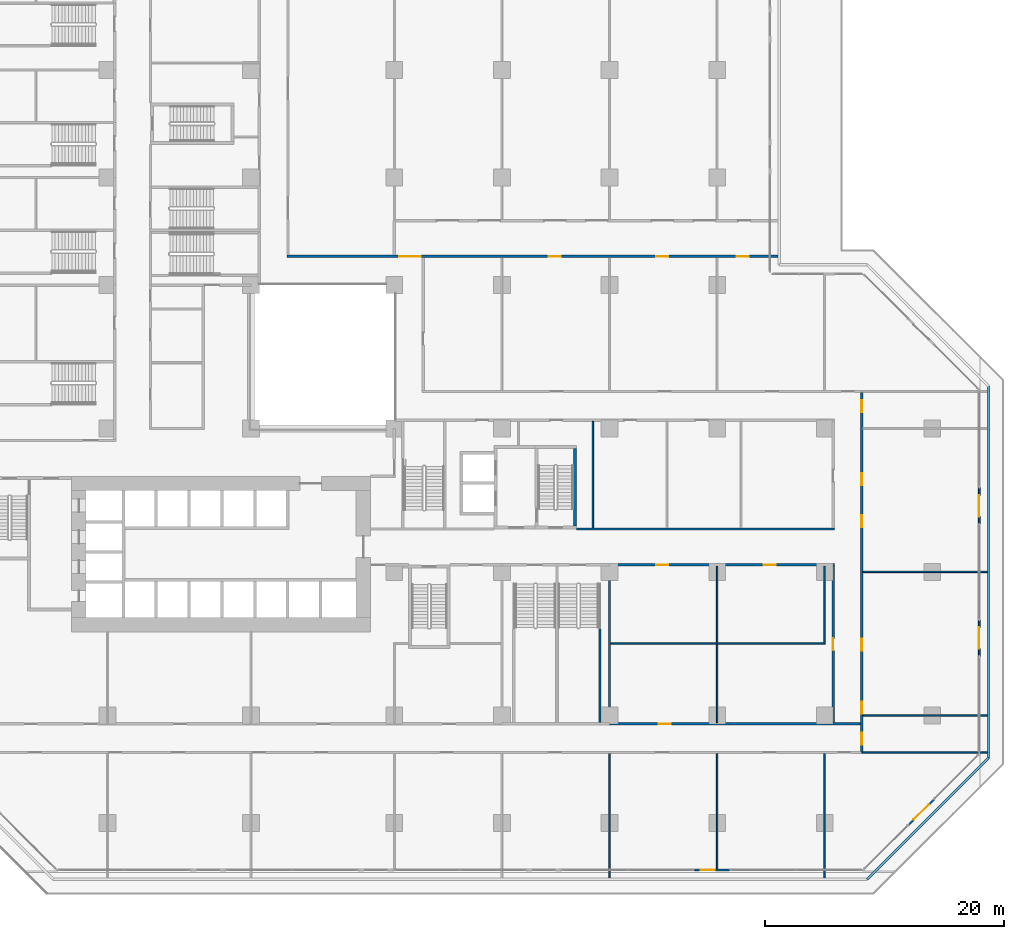
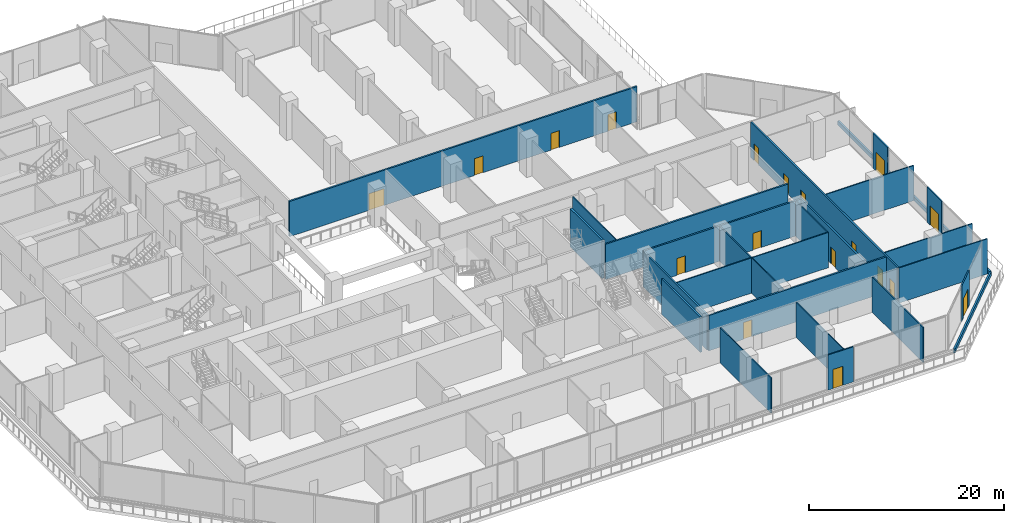
# One storey, part 19 of 31: 26 walls, 18 doors, 18 openings.
"""IFC4 building model written with IfcOpenShell, lengths in metres."""

from ifc_helpers import new_model, si_unit, direction, frame, frame_2d, origin, place, context, subcontext, project, spatial, rectangle, extrude, material, layer, layer_set, type_object, element, fill, save


model = new_model("IFC4")

# Units and contexts
model_context = context("Model", 3, precision=1e-05, world=origin(), true_north=direction((0.0, 1.0)))
body_context = subcontext(model_context, "Body", "Model", "MODEL_VIEW")
ifc_project = project(units=[si_unit("LENGTHUNIT", "METRE"), si_unit("AREAUNIT", "SQUARE_METRE"), si_unit("VOLUMEUNIT", "CUBIC_METRE"), si_unit("PLANEANGLEUNIT", "RADIAN"), si_unit("MASSUNIT", "GRAM", prefix="KILO")], contexts=[model_context])

# Site, building, storey
site_placement = place(None, origin())
site = spatial("IfcSite", under=ifc_project, at=site_placement, CompositionType="ELEMENT")
building_placement = place(site_placement, origin())
building = spatial("IfcBuilding", under=site, at=building_placement, Name="Chenar Terraces", CompositionType="ELEMENT")
storey_placement = place(building_placement, frame((0.0, 0.0, 7.199951171875)))
storey = spatial("IfcBuildingStorey", under=building, at=storey_placement, Name="L01", CompositionType="ELEMENT", Elevation=7.199951171875)

# Walls
ifc_material_1 = material(Name="Gypsum board on steel studs with mineral wool", Category="steel")
ifc_layer_1 = layer(ifc_material_1, 0.125)
ifc_layer_set_1 = layer_set([ifc_layer_1], Name="Gypsum board on steel studs with mineral wool")
wall_type_1 = type_object("IfcWallType", Name="Acoustic partition 125", PredefinedType="PARTITIONING", material=ifc_layer_set_1)
wall_1_placement = place(storey_placement, frame((52.60009765625, 15.699951171875, 0.0), z_axis=(0.0, 0.0, 1.0), x_axis=(0.0, 1.0, 0.0)))
element("IfcWall", 1, at=wall_1_placement, inside=storey, type_object=wall_type_1, Name="Partition L01-103", PredefinedType="PARTITIONING", context=body_context, shape_type="SweptSolid", body=[
    extrude(rectangle(XDim=8.900146484375, YDim=0.125, at=frame_2d((4.4501953125, 0.0))), origin(), (0.0, 0.0, 1.0), 4.400146484375),
])
wall_2_placement = place(storey_placement, frame((54.0, -13.60009765625, 0.0), z_axis=(0.0, 0.0, 1.0), x_axis=(0.0, 1.0, 0.0)))
element("IfcWall", 2, at=wall_2_placement, inside=storey, type_object=wall_type_1, Name="Partition L01-104", PredefinedType="PARTITIONING", context=body_context, shape_type="SweptSolid", body=[
    extrude(rectangle(XDim=10.400146484375, YDim=0.125, at=frame_2d((5.2001953125, 0.0))), origin(), (0.0, 0.0, 1.0), 4.400146484375),
])
wall_3_placement = place(storey_placement, frame((54.10009765625, 6.0, 0.0), z_axis=(0.0, 0.0, 1.0), x_axis=(1.0, 0.0, 0.0)))
element("IfcWall", 3, at=wall_3_placement, inside=storey, type_object=wall_type_1, Name="Partition L01-110", PredefinedType="PARTITIONING", context=body_context, shape_type="SweptSolid", body=[
    extrude(rectangle(XDim=17.9619140625, YDim=0.125, at=frame_2d((8.98095703125, 0.0))), origin(), (0.0, 0.0, 1.0), 4.400146484375),
])
wall_4_placement = place(storey_placement, frame((63.0, -12.85107421875, 0.0), z_axis=(0.0, 0.0, 1.0), x_axis=(0.0, 1.0, 0.0)))
element("IfcWall", 4, at=wall_4_placement, inside=storey, type_object=wall_type_1, Name="Partition L01-112", PredefinedType="PARTITIONING", context=body_context, shape_type="SweptSolid", body=[
    extrude(rectangle(XDim=9.651123046875, YDim=0.125, at=frame_2d((4.82568359375, 0.0))), origin(), (0.0, 0.0, 1.0), 4.400146484375),
])
wall_5_placement = place(storey_placement, frame((63.0, -0.60009765625, 0.0), z_axis=(0.0, 0.0, 1.0), x_axis=(0.0, 1.0, 0.0)))
element("IfcWall", 5, at=wall_5_placement, inside=storey, type_object=wall_type_1, Name="Partition L01-113", PredefinedType="PARTITIONING", context=body_context, shape_type="SweptSolid", body=[
    extrude(rectangle(XDim=6.5380859375, YDim=0.125, at=frame_2d((3.26904296875, 0.0))), origin(), (0.0, 0.0, 1.0), 4.400146484375),
])
wall_6_placement = place(storey_placement, frame((63.0, 6.06201171875, 0.0), z_axis=(0.0, 0.0, 1.0), x_axis=(0.0, 1.0, 0.0)))
element("IfcWall", 6, at=wall_6_placement, inside=storey, type_object=wall_type_1, Name="Partition L01-114", PredefinedType="PARTITIONING", context=body_context, shape_type="SweptSolid", body=[
    extrude(rectangle(XDim=6.43798828125, YDim=0.125, at=frame_2d((3.218994140625, 0.0))), origin(), (0.0, 0.0, 1.0), 4.400146484375),
])
wall_7_placement = place(storey_placement, frame((72.0, -13.60009765625, 0.0), z_axis=(0.0, 0.0, 1.0), x_axis=(0.0, 1.0, 0.0)))
element("IfcWall", 7, at=wall_7_placement, inside=storey, type_object=wall_type_1, Name="Partition L01-118", PredefinedType="PARTITIONING", context=body_context, shape_type="SweptSolid", body=[
    extrude(rectangle(XDim=10.400146484375, YDim=0.125, at=frame_2d((5.2001953125, 0.0))), origin(), (0.0, 0.0, 1.0), 4.400146484375),
])
wall_8_placement = place(storey_placement, frame((72.0, 6.06201171875, 0.0), z_axis=(0.0, 0.0, 1.0), x_axis=(0.0, 1.0, 0.0)))
element("IfcWall", 8, at=wall_8_placement, inside=storey, type_object=wall_type_1, Name="Partition L01-119", PredefinedType="PARTITIONING", context=body_context, shape_type="SweptSolid", body=[
    extrude(rectangle(XDim=6.43798828125, YDim=0.125, at=frame_2d((3.218994140625, 0.0))), origin(), (0.0, 0.0, 1.0), 4.400146484375),
])
wall_9_placement = place(storey_placement, frame((75.10009765625, -3.10009765625, 0.0), z_axis=(0.0, 0.0, 1.0), x_axis=(1.0, 0.0, 0.0)))
element("IfcWall", 9, at=wall_9_placement, inside=storey, type_object=wall_type_1, Name="Partition L01-123", PredefinedType="PARTITIONING", context=body_context, shape_type="SweptSolid", body=[
    extrude(rectangle(XDim=10.5, YDim=0.125, at=frame_2d((5.25, 0.0))), origin(), (0.0, 0.0, 1.0), 4.400146484375),
])
for number, where, z_axis, x_axis, name in (
    (10, (75.199951171875, 0.0, 0.0), (0.0, 0.0, 1.0), (1.0, 0.0, 0.0), "Partition L01-126"),
    (11, (75.199951171875, 12.0, 0.0), (0.0, 0.0, 1.0), (1.0, 0.0, 0.0), "Partition L01-127"),
):
    element("IfcWall", number, at=place(storey_placement, frame(where, z_axis=z_axis, x_axis=x_axis)), inside=storey, type_object=wall_type_1, Name=name, PredefinedType="PARTITIONING", context=body_context, shape_type="SweptSolid", body=[
        extrude(rectangle(XDim=10.400146484375, YDim=0.125, at=frame_2d((5.2001953125, 0.0))), origin(), (0.0, 0.0, 1.0), 4.400146484375),
    ])
ifc_material_2 = material(Name="Concrete C70/85", Category="concrete")
ifc_layer_2 = layer(ifc_material_2, 0.25)
ifc_layer_set_2 = layer_set([ifc_layer_2], Name="Concrete C70/85")
wall_type_2 = type_object("IfcWallType", Name="Core wall 250 Concrete C70/85", PredefinedType="SHEAR", material=ifc_layer_set_2)
wall_10_placement = place(storey_placement, frame((51.10009765625, 15.85009765625, 0.0), z_axis=(0.0, 0.0, 1.0), x_axis=(0.0, 1.0, 0.0)))
element("IfcWall", 12, at=wall_10_placement, inside=storey, type_object=wall_type_2, Name="Core wall ST3_E L01", PredefinedType="SHEAR", context=body_context, shape_type="SweptSolid", body=[
    extrude(rectangle(XDim=6.5, YDim=0.25, at=frame_2d((3.25, 0.0))), origin(), (0.0, 0.0, 1.0), 4.800048828125),
])

# Wall, openings, doors
ifc_material_3 = material(Name="Gypsum board on steel studs with fire boards", Category="steel")
ifc_layer_3 = layer(ifc_material_3, 0.199951171875)
ifc_layer_set_3 = layer_set([ifc_layer_3], Name="Gypsum board on steel studs with fire boards")
wall_type_3 = type_object("IfcWallType", Name="Corridor wall 200", PredefinedType="PARTITIONING", material=ifc_layer_set_3)
wall_11_placement = place(storey_placement, frame((27.0, 38.39990234375, 0.0), z_axis=(0.0, 0.0, 1.0), x_axis=(1.0, 0.0, 0.0)))
wall_11 = element("IfcWall", 13, at=wall_11_placement, inside=storey, type_object=wall_type_3, Name="Partition L01-073", PredefinedType="PARTITIONING", context=body_context, shape_type="SweptSolid", body=[
    extrude(rectangle(XDim=41.10009765625, YDim=0.199951171875, at=frame_2d((20.550048828125, 0.0))), origin(), (0.0, 0.0, 1.0), 4.400146484375),
])
opening_1_placement = place(wall_11_placement, frame((21.89990234375, 0.0, 0.0)))
opening_1 = element("IfcOpeningElement", 14, at=opening_1_placement, cuts=wall_11, Name="Opening DL01-31", PredefinedType="OPENING", context=body_context, shape_type="SweptSolid", body=[
    extrude(rectangle(XDim=1.0, YDim=2.10009765625, at=frame_2d((0.5, 1.050048828125))), frame((0.0, 0.10986328125, 0.0), z_axis=(0.0, -1.0, 0.0), x_axis=(1.0, 0.0, 0.0)), (0.0, 0.0, 1.0), 0.219970703125),
])
opening_2_placement = place(wall_11_placement, frame((30.89990234375, 0.0, 0.0)))
opening_2 = element("IfcOpeningElement", 15, at=opening_2_placement, cuts=wall_11, Name="Opening DL01-33", PredefinedType="OPENING", context=body_context, shape_type="SweptSolid", body=[
    extrude(rectangle(XDim=1.0, YDim=2.10009765625, at=frame_2d((0.5, 1.050048828125))), frame((0.0, 0.10986328125, 0.0), z_axis=(0.0, -1.0, 0.0), x_axis=(1.0, 0.0, 0.0)), (0.0, 0.0, 1.0), 0.219970703125),
])
opening_3_placement = place(wall_11_placement, frame((37.64990234375, 0.0, 0.0)))
opening_3 = element("IfcOpeningElement", 16, at=opening_3_placement, cuts=wall_11, Name="Opening DL01-35", PredefinedType="OPENING", context=body_context, shape_type="SweptSolid", body=[
    extrude(rectangle(XDim=1.0, YDim=2.10009765625, at=frame_2d((0.5, 1.050048828125))), frame((0.0, 0.10986328125, 0.0), z_axis=(0.0, -1.0, 0.0), x_axis=(1.0, 0.0, 0.0)), (0.0, 0.0, 1.0), 0.219970703125),
])
opening_4_placement = place(wall_11_placement, frame((9.39990234375, 0.0, 0.0)))
opening_4 = element("IfcOpeningElement", 17, at=opening_4_placement, cuts=wall_11, Name="Opening DL01-42", PredefinedType="OPENING", context=body_context, shape_type="SweptSolid", body=[
    extrude(rectangle(XDim=1.800048828125, YDim=2.10009765625, at=frame_2d((0.89990234375, 1.050048828125))), frame((0.0, 0.10986328125, 0.0), z_axis=(0.0, -1.0, 0.0), x_axis=(1.0, 0.0, 0.0)), (0.0, 0.0, 1.0), 0.219970703125),
])
ifc_material_4 = material(Name="Steel-framed fire-resisting door leaf", Category="steel")
door_type_1 = type_object("IfcDoorType", Name="Fire door FD60 1000 x 2100", OperationType="SINGLE_SWING_LEFT", PredefinedType="DOOR", material=ifc_material_4)
door_1_placement = place(opening_1_placement, frame((1.0, 0.0, 0.0), z_axis=(0.0, 0.0, 1.0), x_axis=(-1.0, 0.0, 0.0)))
door_1 = element("IfcDoor", 18, at=door_1_placement, inside=storey, type_object=door_type_1, Name="Door DL01-31", OperationType="SINGLE_SWING_RIGHT", OverallHeight=2.10009765625, OverallWidth=1.0, PredefinedType="DOOR", context=body_context, shape_type="SweptSolid", body=[
    extrude(rectangle(XDim=1.0, YDim=2.10009765625, at=frame_2d((0.5, 1.050048828125))), frame((0.0, 0.02490234375, 0.0), z_axis=(0.0, -1.0, 0.0), x_axis=(1.0, 0.0, 0.0)), (0.0, 0.0, 1.0), 0.050048828125),
])
fill(opening_1, door_1)
door_2_placement = place(opening_2_placement, frame((1.0, 0.0, 0.0), z_axis=(0.0, 0.0, 1.0), x_axis=(-1.0, 0.0, 0.0)))
door_2 = element("IfcDoor", 19, at=door_2_placement, inside=storey, type_object=door_type_1, Name="Door DL01-33", OperationType="SINGLE_SWING_RIGHT", OverallHeight=2.10009765625, OverallWidth=1.0, PredefinedType="DOOR", context=body_context, shape_type="SweptSolid", body=[
    extrude(rectangle(XDim=1.0, YDim=2.10009765625, at=frame_2d((0.5, 1.050048828125))), frame((0.0, 0.02490234375, 0.0), z_axis=(0.0, -1.0, 0.0), x_axis=(1.0, 0.0, 0.0)), (0.0, 0.0, 1.0), 0.050048828125),
])
fill(opening_2, door_2)
door_3_placement = place(opening_3_placement, frame((1.0, 0.0, 0.0), z_axis=(0.0, 0.0, 1.0), x_axis=(-1.0, 0.0, 0.0)))
door_3 = element("IfcDoor", 20, at=door_3_placement, inside=storey, type_object=door_type_1, Name="Door DL01-35", OperationType="SINGLE_SWING_LEFT", OverallHeight=2.10009765625, OverallWidth=1.0, PredefinedType="DOOR", context=body_context, shape_type="SweptSolid", body=[
    extrude(rectangle(XDim=1.0, YDim=2.10009765625, at=frame_2d((0.5, 1.050048828125))), frame((0.0, 0.02490234375, 0.0), z_axis=(0.0, -1.0, 0.0), x_axis=(1.0, 0.0, 0.0)), (0.0, 0.0, 1.0), 0.050048828125),
])
fill(opening_3, door_3)
ifc_material_5 = material(Name="Steel-framed fire-resisting door leaf", Category="steel")
door_type_2 = type_object("IfcDoorType", Name="Fire double door FD60 1800 x 2100", OperationType="DOUBLE_DOOR_SINGLE_SWING", PredefinedType="DOOR", material=ifc_material_5)
door_4_placement = place(opening_4_placement, origin())
door_4 = element("IfcDoor", 21, at=door_4_placement, inside=storey, type_object=door_type_2, Name="Door DL01-42", OperationType="DOUBLE_DOOR_SINGLE_SWING", OverallHeight=2.10009765625, OverallWidth=1.800048828125, PredefinedType="DOOR", context=body_context, shape_type="SweptSolid", body=[
    extrude(rectangle(XDim=1.800048828125, YDim=2.10009765625, at=frame_2d((0.89990234375, 1.050048828125))), frame((0.0, 0.02490234375, 0.0), z_axis=(0.0, -1.0, 0.0), x_axis=(1.0, 0.0, 0.0)), (0.0, 0.0, 1.0), 0.050048828125),
])
fill(opening_4, door_4)

# Wall
wall_12_placement = place(storey_placement, frame((51.22509765625, 15.60009765625, 0.0), z_axis=(0.0, 0.0, 1.0), x_axis=(1.0, 0.0, 0.0)))
element("IfcWall", 22, at=wall_12_placement, inside=storey, type_object=wall_type_3, Name="Partition L01-102", PredefinedType="PARTITIONING", context=body_context, shape_type="SweptSolid", body=[
    extrude(rectangle(XDim=21.574951171875, YDim=0.199951171875, at=frame_2d((10.78759765625, 0.0))), origin(), (0.0, 0.0, 1.0), 4.400146484375),
])

# Wall, opening, door
wall_13_placement = place(storey_placement, frame((54.0, -0.699951171875, 0.0), z_axis=(0.0, 0.0, 1.0), x_axis=(1.0, 0.0, 0.0)))
wall_13 = element("IfcWall", 23, at=wall_13_placement, inside=storey, type_object=wall_type_3, Name="Partition L01-105", PredefinedType="PARTITIONING", context=body_context, shape_type="SweptSolid", body=[
    extrude(rectangle(XDim=21.0, YDim=0.199951171875, at=frame_2d((10.5, 0.0))), origin(), (0.0, 0.0, 1.0), 4.400146484375),
])
opening_5_placement = place(wall_13_placement, frame((4.10009765625, 0.0, 0.0)))
opening_5 = element("IfcOpeningElement", 24, at=opening_5_placement, cuts=wall_13, Name="Opening DL01-10", PredefinedType="OPENING", context=body_context, shape_type="SweptSolid", body=[
    extrude(rectangle(XDim=1.0, YDim=2.10009765625, at=frame_2d((0.5, 1.050048828125))), frame((0.0, 0.10986328125, 0.0), z_axis=(0.0, -1.0, 0.0), x_axis=(1.0, 0.0, 0.0)), (0.0, 0.0, 1.0), 0.219970703125),
])
door_5_placement = place(opening_5_placement, origin())
door_5 = element("IfcDoor", 25, at=door_5_placement, inside=storey, type_object=door_type_1, Name="Door DL01-10", OperationType="SINGLE_SWING_LEFT", OverallHeight=2.10009765625, OverallWidth=1.0, PredefinedType="DOOR", context=body_context, shape_type="SweptSolid", body=[
    extrude(rectangle(XDim=1.0, YDim=2.10009765625, at=frame_2d((0.5, 1.050048828125))), frame((0.0, 0.02490234375, 0.0), z_axis=(0.0, -1.0, 0.0), x_axis=(1.0, 0.0, 0.0)), (0.0, 0.0, 1.0), 0.050048828125),
])
fill(opening_5, door_5)

# Wall, openings, doors
wall_14_placement = place(storey_placement, frame((54.0, 12.60009765625, 0.0), z_axis=(0.0, 0.0, 1.0), x_axis=(1.0, 0.0, 0.0)))
wall_14 = element("IfcWall", 26, at=wall_14_placement, inside=storey, type_object=wall_type_3, Name="Partition L01-107", PredefinedType="PARTITIONING", context=body_context, shape_type="SweptSolid", body=[
    extrude(rectangle(XDim=18.800048828125, YDim=0.199951171875, at=frame_2d((9.39990234375, 0.0))), origin(), (0.0, 0.0, 1.0), 4.400146484375),
])
opening_6_placement = place(wall_14_placement, frame((3.89990234375, 0.0, 0.0)))
opening_6 = element("IfcOpeningElement", 27, at=opening_6_placement, cuts=wall_14, Name="Opening DL01-2", PredefinedType="OPENING", context=body_context, shape_type="SweptSolid", body=[
    extrude(rectangle(XDim=1.0, YDim=2.10009765625, at=frame_2d((0.5, 1.050048828125))), frame((0.0, 0.10986328125, 0.0), z_axis=(0.0, -1.0, 0.0), x_axis=(1.0, 0.0, 0.0)), (0.0, 0.0, 1.0), 0.219970703125),
])
opening_7_placement = place(wall_14_placement, frame((12.89990234375, 0.0, 0.0)))
opening_7 = element("IfcOpeningElement", 28, at=opening_7_placement, cuts=wall_14, Name="Opening DL01-3", PredefinedType="OPENING", context=body_context, shape_type="SweptSolid", body=[
    extrude(rectangle(XDim=1.0, YDim=2.10009765625, at=frame_2d((0.5, 1.050048828125))), frame((0.0, 0.10986328125, 0.0), z_axis=(0.0, -1.0, 0.0), x_axis=(1.0, 0.0, 0.0)), (0.0, 0.0, 1.0), 0.219970703125),
])
door_6_placement = place(opening_6_placement, frame((1.0, 0.0, 0.0), z_axis=(0.0, 0.0, 1.0), x_axis=(-1.0, 0.0, 0.0)))
door_6 = element("IfcDoor", 29, at=door_6_placement, inside=storey, type_object=door_type_1, Name="Door DL01-2", OperationType="SINGLE_SWING_RIGHT", OverallHeight=2.10009765625, OverallWidth=1.0, PredefinedType="DOOR", context=body_context, shape_type="SweptSolid", body=[
    extrude(rectangle(XDim=1.0, YDim=2.10009765625, at=frame_2d((0.5, 1.050048828125))), frame((0.0, 0.02490234375, 0.0), z_axis=(0.0, -1.0, 0.0), x_axis=(1.0, 0.0, 0.0)), (0.0, 0.0, 1.0), 0.050048828125),
])
fill(opening_6, door_6)
door_7_placement = place(opening_7_placement, frame((1.0, 0.0, 0.0), z_axis=(0.0, 0.0, 1.0), x_axis=(-1.0, 0.0, 0.0)))
door_7 = element("IfcDoor", 30, at=door_7_placement, inside=storey, type_object=door_type_1, Name="Door DL01-3", OperationType="SINGLE_SWING_RIGHT", OverallHeight=2.10009765625, OverallWidth=1.0, PredefinedType="DOOR", context=body_context, shape_type="SweptSolid", body=[
    extrude(rectangle(XDim=1.0, YDim=2.10009765625, at=frame_2d((0.5, 1.050048828125))), frame((0.0, 0.02490234375, 0.0), z_axis=(0.0, -1.0, 0.0), x_axis=(1.0, 0.0, 0.0)), (0.0, 0.0, 1.0), 0.050048828125),
])
fill(opening_7, door_7)

# Wall, opening, door
wall_15_placement = place(storey_placement, frame((72.699951171875, -0.60009765625, 0.0), z_axis=(0.0, 0.0, 1.0), x_axis=(0.0, 1.0, 0.0)))
wall_15 = element("IfcWall", 31, at=wall_15_placement, inside=storey, type_object=wall_type_3, Name="Partition L01-121", PredefinedType="PARTITIONING", context=body_context, shape_type="SweptSolid", body=[
    extrude(rectangle(XDim=13.10009765625, YDim=0.199951171875, at=frame_2d((6.550048828125, 0.0))), origin(), (0.0, 0.0, 1.0), 4.400146484375),
])
opening_8_placement = place(wall_15_placement, frame((6.050048828125, 0.0, 0.0)))
opening_8 = element("IfcOpeningElement", 32, at=opening_8_placement, cuts=wall_15, Name="Opening DL01-11", PredefinedType="OPENING", context=body_context, shape_type="SweptSolid", body=[
    extrude(rectangle(XDim=1.0, YDim=2.10009765625, at=frame_2d((0.5, 1.050048828125))), frame((0.0, 0.10986328125, 0.0), z_axis=(0.0, -1.0, 0.0), x_axis=(1.0, 0.0, 0.0)), (0.0, 0.0, 1.0), 0.219970703125),
])
door_8_placement = place(opening_8_placement, frame((1.0, 0.0, 0.0), z_axis=(0.0, 0.0, 1.0), x_axis=(-1.0, 0.0, 0.0)))
door_8 = element("IfcDoor", 33, at=door_8_placement, inside=storey, type_object=door_type_1, Name="Door DL01-11", OperationType="SINGLE_SWING_LEFT", OverallHeight=2.10009765625, OverallWidth=1.0, PredefinedType="DOOR", context=body_context, shape_type="SweptSolid", body=[
    extrude(rectangle(XDim=1.0, YDim=2.10009765625, at=frame_2d((0.5, 1.050048828125))), frame((0.0, 0.02490234375, 0.0), z_axis=(0.0, -1.0, 0.0), x_axis=(1.0, 0.0, 0.0)), (0.0, 0.0, 1.0), 0.050048828125),
])
fill(opening_8, door_8)

# Wall, openings, doors
wall_16_placement = place(storey_placement, frame((75.10009765625, -3.0, 0.0), z_axis=(0.0, 0.0, 1.0), x_axis=(0.0, 1.0, 0.0)))
wall_16 = element("IfcWall", 34, at=wall_16_placement, inside=storey, type_object=wall_type_3, Name="Partition L01-124", PredefinedType="PARTITIONING", context=body_context, shape_type="SweptSolid", body=[
    extrude(rectangle(XDim=30.0, YDim=0.199951171875, at=frame_2d((15.0, 0.0))), origin(), (0.0, 0.0, 1.0), 4.400146484375),
])
opening_9_placement = place(wall_16_placement, frame((0.550048828125, 0.0, 0.0)))
opening_9 = element("IfcOpeningElement", 35, at=opening_9_placement, cuts=wall_16, Name="Opening DL01-49", PredefinedType="OPENING", context=body_context, shape_type="SweptSolid", body=[
    extrude(rectangle(XDim=1.0, YDim=2.10009765625, at=frame_2d((0.5, 1.050048828125))), frame((0.0, 0.10986328125, 0.0), z_axis=(0.0, -1.0, 0.0), x_axis=(1.0, 0.0, 0.0)), (0.0, 0.0, 1.0), 0.219970703125),
])
opening_10_placement = place(wall_16_placement, frame((8.39990234375, 0.0, 0.0)))
opening_10 = element("IfcOpeningElement", 36, at=opening_10_placement, cuts=wall_16, Name="Opening DL01-50", PredefinedType="OPENING", context=body_context, shape_type="SweptSolid", body=[
    extrude(rectangle(XDim=1.0, YDim=2.10009765625, at=frame_2d((0.5, 1.050048828125))), frame((0.0, 0.10986328125, 0.0), z_axis=(0.0, -1.0, 0.0), x_axis=(1.0, 0.0, 0.0)), (0.0, 0.0, 1.0), 0.219970703125),
])
opening_11_placement = place(wall_16_placement, frame((3.14990234375, 0.0, 0.0)))
opening_11 = element("IfcOpeningElement", 37, at=opening_11_placement, cuts=wall_16, Name="Opening DL01-51", PredefinedType="OPENING", context=body_context, shape_type="SweptSolid", body=[
    extrude(rectangle(XDim=1.0, YDim=2.10009765625, at=frame_2d((0.5, 1.050048828125))), frame((0.0, 0.10986328125, 0.0), z_axis=(0.0, -1.0, 0.0), x_axis=(1.0, 0.0, 0.0)), (0.0, 0.0, 1.0), 0.219970703125),
])
opening_12_placement = place(wall_16_placement, frame((22.25, 0.0, 0.0)))
opening_12 = element("IfcOpeningElement", 38, at=opening_12_placement, cuts=wall_16, Name="Opening DL01-52", PredefinedType="OPENING", context=body_context, shape_type="SweptSolid", body=[
    extrude(rectangle(XDim=1.0, YDim=2.10009765625, at=frame_2d((0.5, 1.050048828125))), frame((0.0, 0.10986328125, 0.0), z_axis=(0.0, -1.0, 0.0), x_axis=(1.0, 0.0, 0.0)), (0.0, 0.0, 1.0), 0.219970703125),
])
opening_13_placement = place(wall_16_placement, frame((18.75, 0.0, 0.0)))
opening_13 = element("IfcOpeningElement", 39, at=opening_13_placement, cuts=wall_16, Name="Opening DL01-53", PredefinedType="OPENING", context=body_context, shape_type="SweptSolid", body=[
    extrude(rectangle(XDim=1.0, YDim=2.10009765625, at=frame_2d((0.5, 1.050048828125))), frame((0.0, 0.10986328125, 0.0), z_axis=(0.0, -1.0, 0.0), x_axis=(1.0, 0.0, 0.0)), (0.0, 0.0, 1.0), 0.219970703125),
])
opening_14_placement = place(wall_16_placement, frame((28.35009765625, 0.0, 0.0)))
opening_14 = element("IfcOpeningElement", 40, at=opening_14_placement, cuts=wall_16, Name="Opening DL01-54", PredefinedType="OPENING", context=body_context, shape_type="SweptSolid", body=[
    extrude(rectangle(XDim=1.0, YDim=2.10009765625, at=frame_2d((0.5, 1.050048828125))), frame((0.0, 0.10986328125, 0.0), z_axis=(0.0, -1.0, 0.0), x_axis=(1.0, 0.0, 0.0)), (0.0, 0.0, 1.0), 0.219970703125),
])
door_9_placement = place(opening_9_placement, frame((1.0, 0.0, 0.0), z_axis=(0.0, 0.0, 1.0), x_axis=(-1.0, 0.0, 0.0)))
door_9 = element("IfcDoor", 41, at=door_9_placement, inside=storey, type_object=door_type_1, Name="Door DL01-49", OperationType="SINGLE_SWING_RIGHT", OverallHeight=2.10009765625, OverallWidth=1.0, PredefinedType="DOOR", context=body_context, shape_type="SweptSolid", body=[
    extrude(rectangle(XDim=1.0, YDim=2.10009765625, at=frame_2d((0.5, 1.050048828125))), frame((0.0, 0.02490234375, 0.0), z_axis=(0.0, -1.0, 0.0), x_axis=(1.0, 0.0, 0.0)), (0.0, 0.0, 1.0), 0.050048828125),
])
fill(opening_9, door_9)
door_10_placement = place(opening_10_placement, frame((1.0, 0.0, 0.0), z_axis=(0.0, 0.0, 1.0), x_axis=(-1.0, 0.0, 0.0)))
door_10 = element("IfcDoor", 42, at=door_10_placement, inside=storey, type_object=door_type_1, Name="Door DL01-50", OperationType="SINGLE_SWING_LEFT", OverallHeight=2.10009765625, OverallWidth=1.0, PredefinedType="DOOR", context=body_context, shape_type="SweptSolid", body=[
    extrude(rectangle(XDim=1.0, YDim=2.10009765625, at=frame_2d((0.5, 1.050048828125))), frame((0.0, 0.02490234375, 0.0), z_axis=(0.0, -1.0, 0.0), x_axis=(1.0, 0.0, 0.0)), (0.0, 0.0, 1.0), 0.050048828125),
])
fill(opening_10, door_10)
door_11_placement = place(opening_11_placement, frame((1.0, 0.0, 0.0), z_axis=(0.0, 0.0, 1.0), x_axis=(-1.0, 0.0, 0.0)))
door_11 = element("IfcDoor", 43, at=door_11_placement, inside=storey, type_object=door_type_1, Name="Door DL01-51", OperationType="SINGLE_SWING_RIGHT", OverallHeight=2.10009765625, OverallWidth=1.0, PredefinedType="DOOR", context=body_context, shape_type="SweptSolid", body=[
    extrude(rectangle(XDim=1.0, YDim=2.10009765625, at=frame_2d((0.5, 1.050048828125))), frame((0.0, 0.02490234375, 0.0), z_axis=(0.0, -1.0, 0.0), x_axis=(1.0, 0.0, 0.0)), (0.0, 0.0, 1.0), 0.050048828125),
])
fill(opening_11, door_11)
door_12_placement = place(opening_12_placement, frame((1.0, 0.0, 0.0), z_axis=(0.0, 0.0, 1.0), x_axis=(-1.0, 0.0, 0.0)))
door_12 = element("IfcDoor", 44, at=door_12_placement, inside=storey, type_object=door_type_1, Name="Door DL01-52", OperationType="SINGLE_SWING_LEFT", OverallHeight=2.10009765625, OverallWidth=1.0, PredefinedType="DOOR", context=body_context, shape_type="SweptSolid", body=[
    extrude(rectangle(XDim=1.0, YDim=2.10009765625, at=frame_2d((0.5, 1.050048828125))), frame((0.0, 0.02490234375, 0.0), z_axis=(0.0, -1.0, 0.0), x_axis=(1.0, 0.0, 0.0)), (0.0, 0.0, 1.0), 0.050048828125),
])
fill(opening_12, door_12)
door_13_placement = place(opening_13_placement, frame((1.0, 0.0, 0.0), z_axis=(0.0, 0.0, 1.0), x_axis=(-1.0, 0.0, 0.0)))
door_13 = element("IfcDoor", 45, at=door_13_placement, inside=storey, type_object=door_type_1, Name="Door DL01-53", OperationType="SINGLE_SWING_LEFT", OverallHeight=2.10009765625, OverallWidth=1.0, PredefinedType="DOOR", context=body_context, shape_type="SweptSolid", body=[
    extrude(rectangle(XDim=1.0, YDim=2.10009765625, at=frame_2d((0.5, 1.050048828125))), frame((0.0, 0.02490234375, 0.0), z_axis=(0.0, -1.0, 0.0), x_axis=(1.0, 0.0, 0.0)), (0.0, 0.0, 1.0), 0.050048828125),
])
fill(opening_13, door_13)
door_14_placement = place(opening_14_placement, frame((1.0, 0.0, 0.0), z_axis=(0.0, 0.0, 1.0), x_axis=(-1.0, 0.0, 0.0)))
door_14 = element("IfcDoor", 46, at=door_14_placement, inside=storey, type_object=door_type_1, Name="Door DL01-54", OperationType="SINGLE_SWING_LEFT", OverallHeight=2.10009765625, OverallWidth=1.0, PredefinedType="DOOR", context=body_context, shape_type="SweptSolid", body=[
    extrude(rectangle(XDim=1.0, YDim=2.10009765625, at=frame_2d((0.5, 1.050048828125))), frame((0.0, 0.02490234375, 0.0), z_axis=(0.0, -1.0, 0.0), x_axis=(1.0, 0.0, 0.0)), (0.0, 0.0, 1.0), 0.050048828125),
])
fill(opening_14, door_14)

# Wall, opening, door
ifc_material_6 = material(Name="Aluminium framed glazing", Category="aluminium")
ifc_layer_4 = layer(ifc_material_6, 0.14990234375)
ifc_layer_set_4 = layer_set([ifc_layer_4], Name="Aluminium framed glazing")
wall_type_4 = type_object("IfcWallType", Name="Podium glazed wall 150", PredefinedType="SOLIDWALL", material=ifc_layer_set_4)
wall_17_placement = place(storey_placement, frame((61.068115234375, -12.925048828125, 0.0), z_axis=(0.0, 0.0, 1.0), x_axis=(1.0, 0.0, 0.0)))
wall_17 = element("IfcWall", 47, at=wall_17_placement, inside=storey, type_object=wall_type_4, Name="Podium glazed wall", PredefinedType="SOLIDWALL", context=body_context, shape_type="SweptSolid", body=[
    extrude(rectangle(XDim=3.0, YDim=0.14990234375, at=frame_2d((1.5, 0.0))), origin(), (0.0, 0.0, 1.0), 4.400146484375),
])
opening_15_placement = place(wall_17_placement, frame((0.550048828125, 0.0, 0.0)))
opening_15 = element("IfcOpeningElement", 48, at=opening_15_placement, cuts=wall_17, Name="Opening DL01-T4N", PredefinedType="OPENING", context=body_context, shape_type="SweptSolid", body=[
    extrude(rectangle(XDim=1.199951171875, YDim=2.39990234375, at=frame_2d((0.60009765625, 1.199951171875))), frame((0.0, 0.0849609375, 0.0), z_axis=(0.0, -1.0, 0.0), x_axis=(1.0, 0.0, 0.0)), (0.0, 0.0, 1.0), 0.169921875),
])
ifc_material_7 = material(Name="Low emissivity double glazing, aluminium frame", Category="aluminium")
door_type_3 = type_object("IfcDoorType", Name="Terrace glazed door 1200 x 2400", OperationType="SINGLE_SWING_LEFT", PredefinedType="DOOR", material=ifc_material_7)
door_15_placement = place(opening_15_placement, frame((1.199951171875, 0.0, 0.0), z_axis=(0.0, 0.0, 1.0), x_axis=(-1.0, 0.0, 0.0)))
door_15 = element("IfcDoor", 49, at=door_15_placement, inside=storey, type_object=door_type_3, Name="Terrace glazed door", OperationType="DOUBLE_DOOR_SINGLE_SWING", OverallHeight=2.39990234375, OverallWidth=1.199951171875, PredefinedType="DOOR", context=body_context, shape_type="SweptSolid", body=[
    extrude(rectangle(XDim=1.199951171875, YDim=2.39990234375, at=frame_2d((0.60009765625, 1.199951171875))), frame((0.0, 0.02490234375, 0.0), z_axis=(0.0, -1.0, 0.0), x_axis=(1.0, 0.0, 0.0)), (0.0, 0.0, 1.0), 0.050048828125),
])
fill(opening_15, door_15)

wall_18_placement = place(storey_placement, frame((79.01806640625, -9.139404296875, 0.0), z_axis=(0.0, 0.0, 1.0), x_axis=(0.707106781187, 0.707106781187, 0.0)))
wall_18 = element("IfcWall", 50, at=wall_18_placement, inside=storey, type_object=wall_type_4, Name="Podium glazed wall", PredefinedType="SOLIDWALL", context=body_context, shape_type="SweptSolid", body=[
    extrude(rectangle(XDim=3.0, YDim=0.14990234375, at=frame_2d((1.5, 0.0))), origin(), (0.0, 0.0, 1.0), 4.400146484375),
])
opening_16_placement = place(wall_18_placement, frame((0.60009765625, 0.0, 0.0)))
opening_16 = element("IfcOpeningElement", 51, at=opening_16_placement, cuts=wall_18, Name="Opening DL01-T1", PredefinedType="OPENING", context=body_context, shape_type="SweptSolid", body=[
    extrude(rectangle(XDim=1.800048828125, YDim=2.39990234375, at=frame_2d((0.89990234375, 1.199951171875))), frame((0.0, 0.0849609375, 0.0), z_axis=(0.0, -1.0, 0.0), x_axis=(1.0, 0.0, 0.0)), (0.0, 0.0, 1.0), 0.169921875),
])
ifc_material_8 = material(Name="Low emissivity double glazing, aluminium frame", Category="aluminium")
door_type_4 = type_object("IfcDoorType", Name="Terrace glazed double door 1800 x 2400", OperationType="DOUBLE_DOOR_SINGLE_SWING", PredefinedType="DOOR", material=ifc_material_8)
door_16_placement = place(opening_16_placement, origin())
door_16 = element("IfcDoor", 52, at=door_16_placement, inside=storey, type_object=door_type_4, Name="Terrace glazed door", OperationType="DOUBLE_DOOR_SINGLE_SWING", OverallHeight=2.39990234375, OverallWidth=1.800048828125, PredefinedType="DOOR", context=body_context, shape_type="SweptSolid", body=[
    extrude(rectangle(XDim=1.800048828125, YDim=2.39990234375, at=frame_2d((0.89990234375, 1.199951171875))), frame((0.0, 0.02490234375, 0.0), z_axis=(0.0, -1.0, 0.0), x_axis=(1.0, 0.0, 0.0)), (0.0, 0.0, 1.0), 0.050048828125),
])
fill(opening_16, door_16)

wall_19_placement = place(storey_placement, frame((84.925048828125, 4.962158203125, 0.0), z_axis=(0.0, 0.0, 1.0), x_axis=(0.0, 1.0, 0.0)))
wall_19 = element("IfcWall", 53, at=wall_19_placement, inside=storey, type_object=wall_type_4, Name="Podium glazed wall", PredefinedType="SOLIDWALL", context=body_context, shape_type="SweptSolid", body=[
    extrude(rectangle(XDim=3.0, YDim=0.14990234375, at=frame_2d((1.5, 0.0))), origin(), (0.0, 0.0, 1.0), 4.400146484375),
])
opening_17_placement = place(wall_19_placement, frame((0.60009765625, 0.0, 0.0)))
opening_17 = element("IfcOpeningElement", 54, at=opening_17_placement, cuts=wall_19, Name="Opening DL01-T1", PredefinedType="OPENING", context=body_context, shape_type="SweptSolid", body=[
    extrude(rectangle(XDim=1.800048828125, YDim=2.39990234375, at=frame_2d((0.89990234375, 1.199951171875))), frame((0.0, 0.0849609375, 0.0), z_axis=(0.0, -1.0, 0.0), x_axis=(1.0, 0.0, 0.0)), (0.0, 0.0, 1.0), 0.169921875),
])
door_17_placement = place(opening_17_placement, frame((1.800048828125, 0.0, 0.0), z_axis=(0.0, 0.0, 1.0), x_axis=(-1.0, 0.0, 0.0)))
door_17 = element("IfcDoor", 55, at=door_17_placement, inside=storey, type_object=door_type_4, Name="Terrace glazed door", OperationType="DOUBLE_DOOR_SINGLE_SWING", OverallHeight=2.39990234375, OverallWidth=1.800048828125, PredefinedType="DOOR", context=body_context, shape_type="SweptSolid", body=[
    extrude(rectangle(XDim=1.800048828125, YDim=2.39990234375, at=frame_2d((0.89990234375, 1.199951171875))), frame((0.0, 0.02490234375, 0.0), z_axis=(0.0, -1.0, 0.0), x_axis=(1.0, 0.0, 0.0)), (0.0, 0.0, 1.0), 0.050048828125),
])
fill(opening_17, door_17)

wall_20_placement = place(storey_placement, frame((84.925048828125, 16.037841796875, 0.0), z_axis=(0.0, 0.0, 1.0), x_axis=(0.0, 1.0, 0.0)))
wall_20 = element("IfcWall", 56, at=wall_20_placement, inside=storey, type_object=wall_type_4, Name="Podium glazed wall", PredefinedType="SOLIDWALL", context=body_context, shape_type="SweptSolid", body=[
    extrude(rectangle(XDim=3.0, YDim=0.14990234375, at=frame_2d((1.5, 0.0))), origin(), (0.0, 0.0, 1.0), 4.400146484375),
])
opening_18_placement = place(wall_20_placement, frame((0.60009765625, 0.0, 0.0)))
opening_18 = element("IfcOpeningElement", 57, at=opening_18_placement, cuts=wall_20, Name="Opening DL01-T2", PredefinedType="OPENING", context=body_context, shape_type="SweptSolid", body=[
    extrude(rectangle(XDim=1.800048828125, YDim=2.39990234375, at=frame_2d((0.89990234375, 1.199951171875))), frame((0.0, 0.0849609375, 0.0), z_axis=(0.0, -1.0, 0.0), x_axis=(1.0, 0.0, 0.0)), (0.0, 0.0, 1.0), 0.169921875),
])
door_18_placement = place(opening_18_placement, frame((1.800048828125, 0.0, 0.0), z_axis=(0.0, 0.0, 1.0), x_axis=(-1.0, 0.0, 0.0)))
door_18 = element("IfcDoor", 58, at=door_18_placement, inside=storey, type_object=door_type_4, Name="Terrace glazed door", OperationType="DOUBLE_DOOR_SINGLE_SWING", OverallHeight=2.39990234375, OverallWidth=1.800048828125, PredefinedType="DOOR", context=body_context, shape_type="SweptSolid", body=[
    extrude(rectangle(XDim=1.800048828125, YDim=2.39990234375, at=frame_2d((0.89990234375, 1.199951171875))), frame((0.0, 0.02490234375, 0.0), z_axis=(0.0, -1.0, 0.0), x_axis=(1.0, 0.0, 0.0)), (0.0, 0.0, 1.0), 0.050048828125),
])
fill(opening_18, door_18)

# Walls
ifc_material_9 = material(Name="Reinforced concrete C40/50", Category="concrete")
ifc_layer_5 = layer(ifc_material_9, 0.199951171875)
ifc_layer_set_5 = layer_set([ifc_layer_5], Name="Reinforced concrete C40/50")
wall_type_5 = type_object("IfcWallType", Name="Stair enclosure wall 200 concrete", PredefinedType="SOLIDWALL", material=ifc_layer_set_5)
wall_21_placement = place(storey_placement, frame((54.0, -0.60009765625, 0.0), z_axis=(0.0, 0.0, 1.0), x_axis=(0.0, 1.0, 0.0)))
element("IfcWall", 59, at=wall_21_placement, inside=storey, type_object=wall_type_5, Name="Stair enclosure wall L01-106", PredefinedType="SOLIDWALL", context=body_context, shape_type="SweptSolid", body=[
    extrude(rectangle(XDim=13.10009765625, YDim=0.199951171875, at=frame_2d((6.550048828125, 0.0))), origin(), (0.0, 0.0, 1.0), 4.400146484375),
])
wall_22_placement = place(storey_placement, frame((53.199951171875, -0.60009765625, 0.0), z_axis=(0.0, 0.0, 1.0), x_axis=(0.0, 1.0, 0.0)))
element("IfcWall", 60, at=wall_22_placement, inside=storey, type_object=wall_type_5, Name="Stair enclosure wall L01-PS2-014", PredefinedType="SOLIDWALL", context=body_context, shape_type="SweptSolid", body=[
    extrude(rectangle(XDim=7.945068359375, YDim=0.199951171875, at=frame_2d((3.97265625, 0.0))), origin(), (0.0, 0.0, 1.0), 4.400146484375),
])
ifc_material_10 = material(Name="Terracotta cladding on insulated backing", Category="masonry")
ifc_layer_6 = layer(ifc_material_10, 0.199951171875)
ifc_layer_set_6 = layer_set([ifc_layer_6], Name="Terracotta cladding on insulated backing")
wall_type_6 = type_object("IfcWallType", Name="Terrace parapet upstand 200", PredefinedType="PARAPET", material=ifc_layer_set_6)
wall_23_placement = place(storey_placement, frame((85.699951171875, 27.553466796875, 0.0), z_axis=(0.0, 0.0, 1.0), x_axis=(0.0, -1.0, 0.0)))
element("IfcWall", 61, at=wall_23_placement, inside=storey, type_object=wall_type_6, Name="Terrace parapet", PredefinedType="PARAPET", context=body_context, shape_type="SweptSolid", body=[
    extrude(rectangle(XDim=31.10693359375, YDim=0.199951171875, at=frame_2d((15.553466796875, 0.0))), origin(), (0.0, 0.0, 1.0), 0.5),
])
wall_24_placement = place(storey_placement, frame((85.699951171875, -3.553466796875, 0.0), z_axis=(0.0, 0.0, 1.0), x_axis=(-0.707106781187, -0.707106781187, 0.0)))
element("IfcWall", 62, at=wall_24_placement, inside=storey, type_object=wall_type_6, Name="Terrace parapet", PredefinedType="PARAPET", context=body_context, shape_type="SweptSolid", body=[
    extrude(rectangle(XDim=14.349365234375, YDim=0.199951171875, at=frame_2d((7.1748046875, 0.0))), origin(), (0.0, 0.0, 1.0), 0.5),
])

save(model, "model.ifc")
